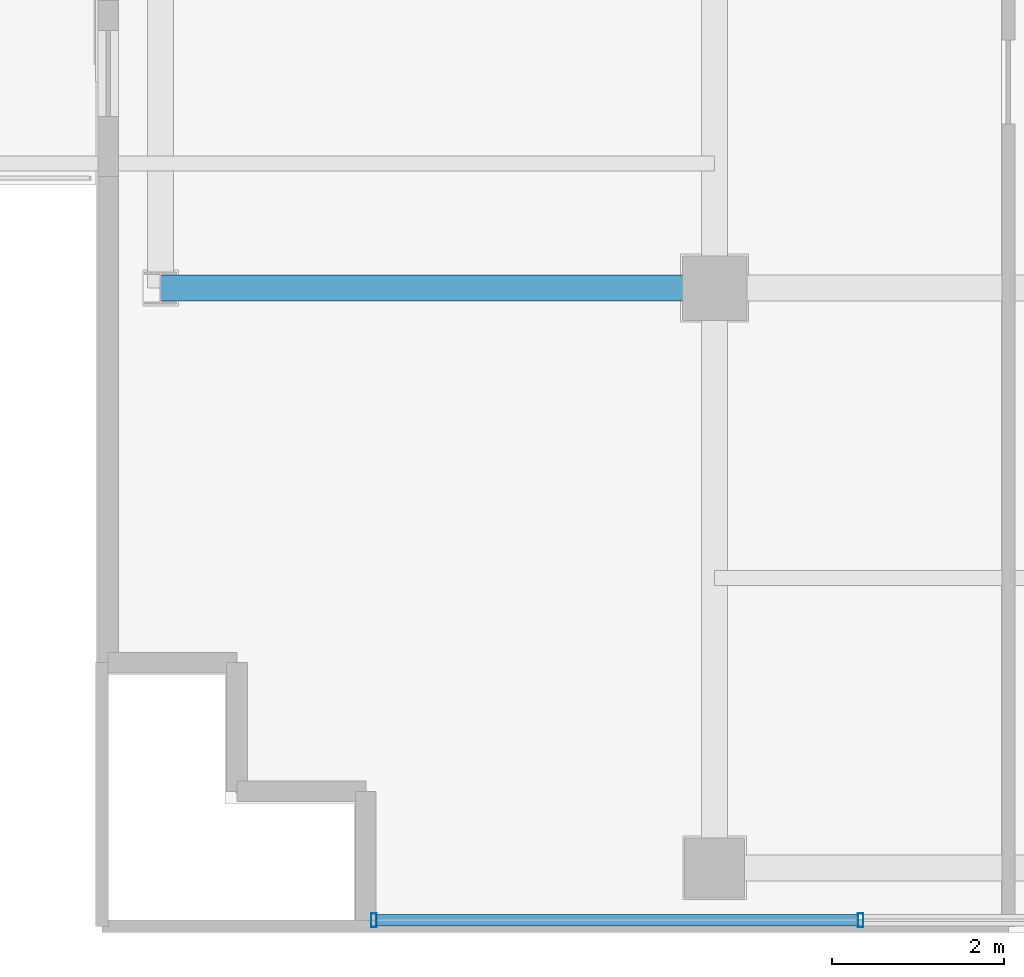
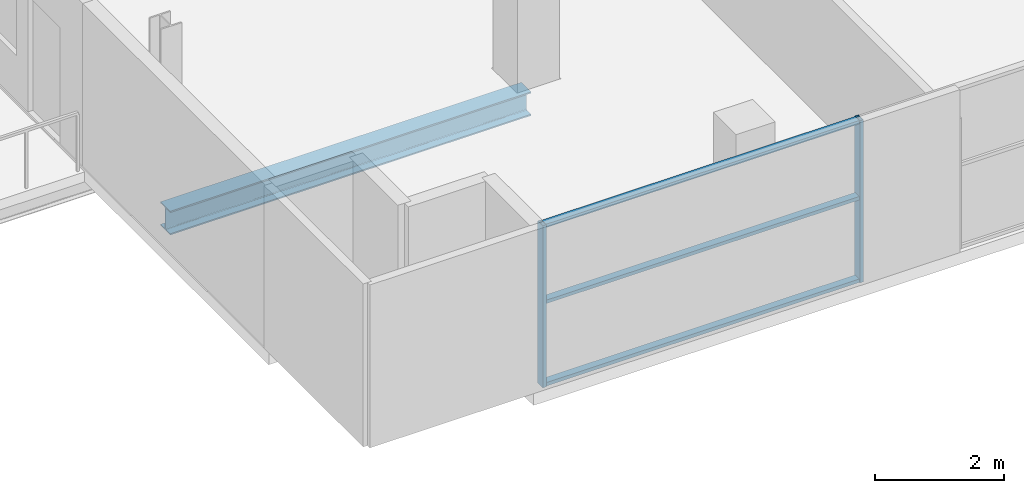
# One storey, part 2 of 28: 5 members, 1 beam, 1 element without a shape of its own.
"""IFC4 building model written with IfcOpenShell, lengths in metres."""

from ifc_helpers import new_model, si_unit, direction, frame, origin, origin_2d, place, context, subcontext, project, spatial, hollow_rectangle, i_section, extrude, source, transform, mapped, material, layer, layer_set, material_profile, profile_set, type_object, element, aggregate, save


model = new_model("IFC4")

# Units and contexts
model_context = context("Model", 3, precision=1e-05, world=origin(), true_north=direction((0.0, 1.0)))
body_context = subcontext(model_context, "Body", "Model", "MODEL_VIEW")
ifc_project = project(units=[si_unit("LENGTHUNIT", "METRE"), si_unit("AREAUNIT", "SQUARE_METRE"), si_unit("VOLUMEUNIT", "CUBIC_METRE"), si_unit("PLANEANGLEUNIT", "RADIAN"), si_unit("MASSUNIT", "GRAM", prefix="KILO")], contexts=[model_context])

# Site, building, storey
site_placement = place(None, origin())
site = spatial("IfcSite", under=ifc_project, at=site_placement, CompositionType="ELEMENT")
building_placement = place(site_placement, origin())
building = spatial("IfcBuilding", under=site, at=building_placement, Name="Zarnakvel Exchange Tower", CompositionType="ELEMENT")
storey_placement = place(building_placement, frame((0.0, 0.0, 268.300048828125)))
storey = spatial("IfcBuildingStorey", under=building, at=storey_placement, Name="L76", CompositionType="ELEMENT", Elevation=268.300048828125)

# Beam
ifc_material_1 = material(Name="Steel S355", Category="steel")
ifc_material_profile_1 = material_profile(ifc_material_1, i_section(OverallWidth=0.300048828125, OverallDepth=0.449951171875, WebThickness=0.013916015625, FlangeThickness=0.02587890625, FilletRadius=0.027099609375, at=origin_2d()))
ifc_profile_set_1 = profile_set([ifc_material_profile_1], Name="Steel S355")
beam_type = type_object("IfcBeamType", Name="G-07", PredefinedType="BEAM", material=ifc_profile_set_1)
beam_placement = place(storey_placement, frame((-20.85009765625, -9.60009765625, -0.449951171875), z_axis=(1.0, 0.0, 0.0), x_axis=(0.0, 1.0, 0.0)))
element("IfcBeam", 1, at=beam_placement, inside=storey, type_object=beam_type, Name="L76 Tower E-W Frame Beam", PredefinedType="BEAM", context=body_context, shape_type="SweptSolid", body=[
    extrude(i_section(OverallWidth=0.300048828125, OverallDepth=0.449951171875, WebThickness=0.013916015625, FlangeThickness=0.02587890625, FilletRadius=0.027099609375, at=origin_2d()), origin(), (0.0, 0.0, 1.0), 6.4501953125),
])

# Curtain wall, members
ifc_material_2 = material(Name="Architectural Bronze Anodised Aluminium", Category="aluminium")
ifc_layer = layer(ifc_material_2, 0.159912109375)
ifc_layer_set = layer_set([ifc_layer], Name="Architectural Bronze Anodised Aluminium")
curtain_wall_type = type_object("IfcCurtainWallType", Name="CW-06", PredefinedType="NOTDEFINED", material=ifc_layer_set)
curtain_wall_placement = place(storey_placement, origin())
curtain_wall = element("IfcCurtainWall", 2, at=curtain_wall_placement, inside=storey, type_object=curtain_wall_type, Name="L76 Curtain Wall CW-L76-NSW (CW-06)", PredefinedType="NOTDEFINED")
ifc_material_profile_2 = material_profile(ifc_material_2, hollow_rectangle(XDim=0.1298828125, YDim=0.06494140625, WallThickness=0.00390625, at=origin_2d()))
ifc_profile_set_2 = profile_set([ifc_material_profile_2], Name="Architectural Bronze Anodised Aluminium")
member_type_1 = type_object("IfcMemberType", Name="CWT-06", PredefinedType="USERDEFINED", material=ifc_profile_set_2)
shared_shape_1 = source(origin(), body_context, "Body", "SweptSolid", [
    extrude(hollow_rectangle(XDim=0.1298828125, YDim=0.06494140625, WallThickness=0.00390625, at=origin_2d()), origin(), (0.0, 0.0, 1.0), 5.6025390625),
])
member_1_placement = place(storey_placement, frame((-18.3349609375, -16.9599609375, 0.032470703125), z_axis=(1.0, 0.0, 0.0), x_axis=(0.0, 1.0, 0.0)))
member_1 = element("IfcMember", 3, at=member_1_placement, type_object=member_type_1, Name="CW-06 transom 1.1", ObjectType="TRANSOM", PredefinedType="USERDEFINED", context=body_context, shape_type="MappedRepresentation", body=[
    mapped(shared_shape_1, transform((0.0, 0.0, 0.0), x_axis=(1.0, 0.0, 0.0), y_axis=(0.0, 1.0, 0.0), z_axis=(0.0, 0.0, 1.0), scale=1.0)),
])
member_2_placement = place(storey_placement, frame((-18.3349609375, -16.9599609375, 1.591064453125), z_axis=(1.0, 0.0, 0.0), x_axis=(0.0, 1.0, 0.0)))
member_2 = element("IfcMember", 4, at=member_2_placement, type_object=member_type_1, Name="CW-06 transom 1.2", ObjectType="TRANSOM", PredefinedType="USERDEFINED", context=body_context, shape_type="MappedRepresentation", body=[
    mapped(shared_shape_1, transform((0.0, 0.0, 0.0), x_axis=(1.0, 0.0, 0.0), y_axis=(0.0, 1.0, 0.0), z_axis=(0.0, 0.0, 1.0), scale=1.0)),
])
member_3_placement = place(storey_placement, frame((-18.3349609375, -16.9599609375, 3.02734375), z_axis=(1.0, 0.0, 0.0), x_axis=(0.0, 1.0, 0.0)))
member_3 = element("IfcMember", 5, at=member_3_placement, type_object=member_type_1, Name="CW-06 transom 1.3", ObjectType="TRANSOM", PredefinedType="USERDEFINED", context=body_context, shape_type="MappedRepresentation", body=[
    mapped(shared_shape_1, transform((0.0, 0.0, 0.0), x_axis=(1.0, 0.0, 0.0), y_axis=(0.0, 1.0, 0.0), z_axis=(0.0, 0.0, 1.0), scale=1.0)),
])
ifc_material_profile_3 = material_profile(ifc_material_2, hollow_rectangle(XDim=0.159912109375, YDim=0.06494140625, WallThickness=0.00390625, at=origin_2d()))
ifc_profile_set_3 = profile_set([ifc_material_profile_3], Name="Architectural Bronze Anodised Aluminium")
member_type_2 = type_object("IfcMemberType", Name="CWM-06", PredefinedType="MULLION", material=ifc_profile_set_3)
shared_shape_2 = source(origin(), body_context, "Body", "SweptSolid", [
    extrude(hollow_rectangle(XDim=0.159912109375, YDim=0.06494140625, WallThickness=0.00390625, at=origin_2d()), origin(), (0.0, 0.0, 1.0), 3.06005859375),
])
member_4_placement = place(storey_placement, frame((-18.367431640625, -16.9599609375, 0.0), z_axis=(0.0, 0.0, 1.0), x_axis=(0.0, 1.0, 0.0)))
member_4 = element("IfcMember", 6, at=member_4_placement, type_object=member_type_2, Name="CW-06 mullion 1", PredefinedType="MULLION", context=body_context, shape_type="MappedRepresentation", body=[
    mapped(shared_shape_2, transform((0.0, 0.0, 0.0), x_axis=(1.0, 0.0, 0.0), y_axis=(0.0, 1.0, 0.0), z_axis=(0.0, 0.0, 1.0), scale=1.0)),
])
member_5_placement = place(storey_placement, frame((-12.699951171875, -16.9599609375, 0.0), z_axis=(0.0, 0.0, 1.0), x_axis=(0.0, 1.0, 0.0)))
member_5 = element("IfcMember", 7, at=member_5_placement, type_object=member_type_2, Name="CW-06 mullion 2", PredefinedType="MULLION", context=body_context, shape_type="MappedRepresentation", body=[
    mapped(shared_shape_2, transform((0.0, 0.0, 0.0), x_axis=(1.0, 0.0, 0.0), y_axis=(0.0, 1.0, 0.0), z_axis=(0.0, 0.0, 1.0), scale=1.0)),
])
aggregate(curtain_wall, [member_4, member_5, member_1, member_2, member_3])

save(model, "model.ifc")
